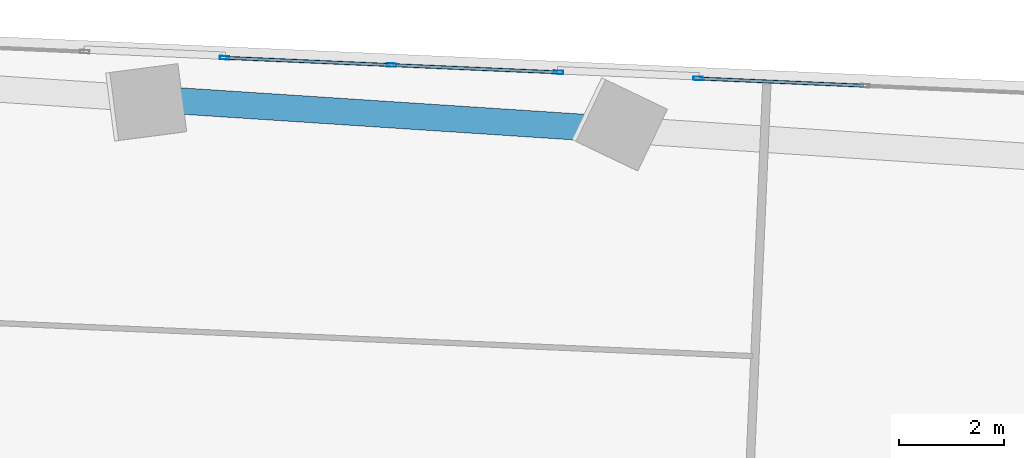
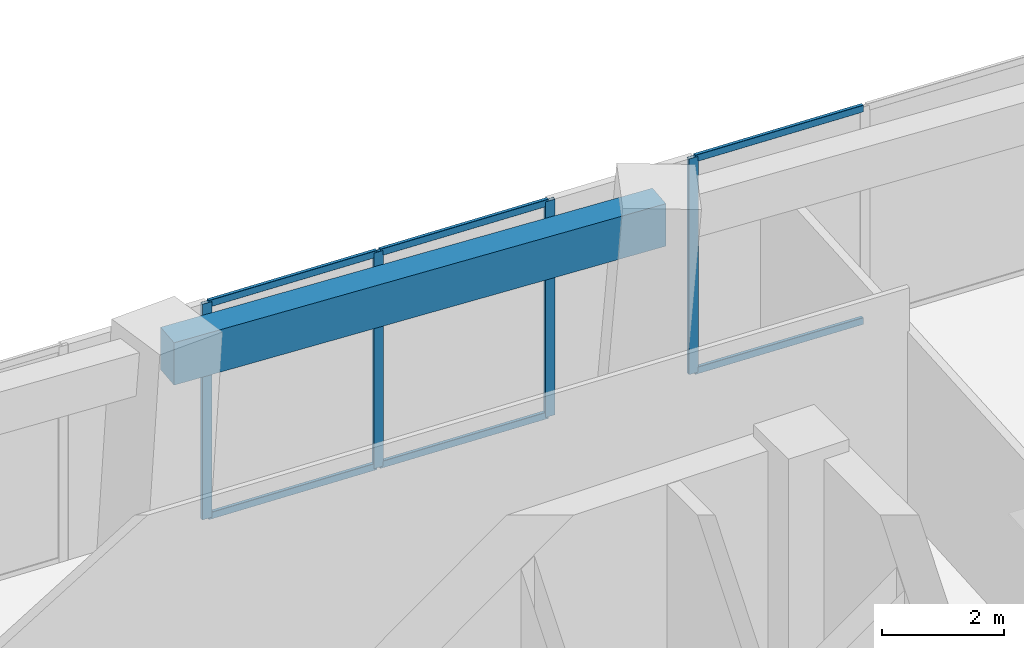
# One storey, part 17 of 27: 10 members, 1 beam, 2 elements without a shape of their own.
"""IFC4 building model written with IfcOpenShell, lengths in metres."""

from ifc_helpers import new_model, si_unit, direction, frame, origin, origin_2d, place, context, subcontext, project, spatial, rectangle, hollow_rectangle, extrude, source, transform, mapped, material, material_profile, profile_set, type_object, element, aggregate, save


model = new_model("IFC4")

# Units and contexts
model_context = context("Model", 3, precision=1e-05, world=origin(), true_north=direction((0.0, 1.0)))
body_context = subcontext(model_context, "Body", "Model", "MODEL_VIEW")
ifc_project = project(units=[si_unit("LENGTHUNIT", "METRE"), si_unit("AREAUNIT", "SQUARE_METRE"), si_unit("VOLUMEUNIT", "CUBIC_METRE"), si_unit("PLANEANGLEUNIT", "RADIAN"), si_unit("MASSUNIT", "GRAM", prefix="KILO")], contexts=[model_context])

# Site, building, storey
site_placement = place(None, origin())
site = spatial("IfcSite", under=ifc_project, at=site_placement, CompositionType="ELEMENT")
building_placement = place(site_placement, origin())
building = spatial("IfcBuilding", under=site, at=building_placement, Name="Torre Montelarca", CompositionType="ELEMENT")
storey_placement = place(building_placement, frame((0.0, 0.0, 37.60009765625)))
storey = spatial("IfcBuildingStorey", under=building, at=storey_placement, Name="L08", CompositionType="ELEMENT", Elevation=37.60009765625)

# Beam
ifc_material_1 = material(Name="Concrete C55/67", Category="concrete")
ifc_material_profile_1 = material_profile(ifc_material_1, rectangle(XDim=0.5, YDim=0.85009765625, at=origin_2d()), Name="RCB500X850", Category="concrete")
ifc_profile_set_1 = profile_set([ifc_material_profile_1], Name="Concrete C55/67")
beam_type = type_object("IfcBeamType", Name="BM-SP-RC850-EXT", PredefinedType="SPANDREL", material=ifc_profile_set_1)
shared_shape_1 = source(origin(), body_context, "Body", "SweptSolid", [
    extrude(rectangle(XDim=0.5, YDim=0.85009765625, at=origin_2d()), origin(), (0.0, 0.0, 1.0), 9.0),
])
beam_placement = place(storey_placement, frame((18.998291015625, 47.346435546875, 4.135009765625), z_axis=(0.99785895206, -0.065402689504, 0.0), x_axis=(0.065402689504, 0.99785895206, 0.0)))
element("IfcBeam", 1, at=beam_placement, inside=storey, type_object=beam_type, Name="L08 Grid Girder X 18.0-27.0 at Y=47.1", PredefinedType="SPANDREL", context=body_context, shape_type="MappedRepresentation", body=[
    mapped(shared_shape_1, transform((0.0, 0.0, 0.0), scale=1.0)),
])

# Curtain wall, member
ifc_material_2 = material(Name="Insulated low-E laminated glass", Category="glass")
curtain_wall_type = type_object("IfcCurtainWallType", Name="CW-SYS-Z1", PredefinedType="USERDEFINED", material=ifc_material_2)
curtain_wall_1_placement = place(storey_placement, origin())
curtain_wall_1 = element("IfcCurtainWall", 2, at=curtain_wall_1_placement, inside=storey, type_object=curtain_wall_type, Name="L08 Curtain Wall Run CW-T3-L08-E08-B2", ObjectType="UNITISED GLAZING", PredefinedType="USERDEFINED")
ifc_material_3 = material(Name="Anodised aluminium AA 6063-T6", Category="aluminium")
ifc_material_profile_2 = material_profile(ifc_material_3, hollow_rectangle(XDim=0.06494140625, YDim=0.179931640625, WallThickness=0.00390625, InnerFilletRadius=0.00390625, OuterFilletRadius=0.008056640625, at=origin_2d()), Name="ALU65X180X4", Category="aluminium")
ifc_profile_set_2 = profile_set([ifc_material_profile_2], Name="Anodised aluminium AA 6063-T6")
member_type_1 = type_object("IfcMemberType", Name="CWM-ALU180", PredefinedType="MULLION", material=ifc_profile_set_2)
shared_shape_2 = source(origin(), body_context, "Body", "SweptSolid", [
    extrude(hollow_rectangle(XDim=0.06494140625, YDim=0.179931640625, WallThickness=0.00390625, InnerFilletRadius=0.00390625, OuterFilletRadius=0.008056640625, at=origin_2d()), origin(), (0.0, 0.0, 1.0), 4.31982421875),
])
member_1_placement = place(storey_placement, frame((29.18603515625, 47.749755859375, 0.0), z_axis=(0.0, 0.0, 1.0), x_axis=(-0.043614580368, -0.999048431448, 0.0)))
member_1 = element("IfcMember", 3, at=member_1_placement, type_object=member_type_1, Name="CW mullion 3", PredefinedType="MULLION", context=body_context, shape_type="MappedRepresentation", body=[
    mapped(shared_shape_2, transform((0.0, 0.0, 0.0), scale=1.0)),
])

# Curtain wall, members
curtain_wall_2_placement = place(storey_placement, origin())
curtain_wall_2 = element("IfcCurtainWall", 4, at=curtain_wall_2_placement, inside=storey, type_object=curtain_wall_type, Name="L08 Curtain Wall Run CW-T3-L08-E08-B3", ObjectType="UNITISED GLAZING", PredefinedType="USERDEFINED")
member_2_placement = place(storey_placement, frame((26.534423828125, 47.865478515625, 0.0), z_axis=(0.0, 0.0, 1.0), x_axis=(-0.043628858585, -0.999047808015, 0.0)))
member_2 = element("IfcMember", 5, at=member_2_placement, type_object=member_type_1, Name="CW mullion 1", PredefinedType="MULLION", context=body_context, shape_type="MappedRepresentation", body=[
    mapped(shared_shape_2, transform((0.0, 0.0, 0.0), scale=1.0)),
])
member_3_placement = place(storey_placement, frame((23.365478515625, 48.00390625, 0.0), z_axis=(0.0, 0.0, 1.0), x_axis=(-0.043628858585, -0.999047808015, 0.0)))
member_3 = element("IfcMember", 6, at=member_3_placement, type_object=member_type_1, Name="CW mullion 2", PredefinedType="MULLION", context=body_context, shape_type="MappedRepresentation", body=[
    mapped(shared_shape_2, transform((0.0, 0.0, 0.0), scale=1.0)),
])
member_4_placement = place(storey_placement, frame((20.19677734375, 48.142333984375, 0.0), z_axis=(0.0, 0.0, 1.0), x_axis=(-0.043628858585, -0.999047808015, 0.0)))
member_4 = element("IfcMember", 7, at=member_4_placement, type_object=member_type_1, Name="CW mullion 3", PredefinedType="MULLION", context=body_context, shape_type="MappedRepresentation", body=[
    mapped(shared_shape_2, transform((0.0, 0.0, 0.0), scale=1.0)),
])

# Member
ifc_material_profile_3 = material_profile(ifc_material_3, hollow_rectangle(XDim=0.06494140625, YDim=0.139892578125, WallThickness=0.00390625, InnerFilletRadius=0.00390625, OuterFilletRadius=0.008056640625, at=origin_2d()), Name="ALU65X140X4", Category="aluminium")
ifc_profile_set_3 = profile_set([ifc_material_profile_3], Name="Anodised aluminium AA 6063-T6")
member_type_2 = type_object("IfcMemberType", Name="CWT-ALU140", PredefinedType="USERDEFINED", material=ifc_profile_set_3)
shared_shape_3 = source(origin(), body_context, "Body", "SweptSolid", [
    extrude(hollow_rectangle(XDim=0.06494140625, YDim=0.139892578125, WallThickness=0.00390625, InnerFilletRadius=0.00390625, OuterFilletRadius=0.008056640625, at=origin_2d()), origin(), (0.0, 0.0, 1.0), 3.10791015625),
])
member_5_placement = place(storey_placement, frame((32.323486328125, 47.61279296875, 0.032470703125), z_axis=(-0.999049179402, 0.04359744414, 0.0), x_axis=(-0.04359744414, -0.999049179402, 0.0)))
member_5 = element("IfcMember", 8, at=member_5_placement, type_object=member_type_2, Name="CW transom 2.1", ObjectType="TRANSOM", PredefinedType="USERDEFINED", context=body_context, shape_type="MappedRepresentation", body=[
    mapped(shared_shape_3, transform((0.0, 0.0, 0.0), scale=1.0)),
])

member_6_placement = place(storey_placement, frame((32.323486328125, 47.61279296875, 4.287353515625), z_axis=(-0.999049179402, 0.04359744414, 0.0), x_axis=(-0.04359744414, -0.999049179402, 0.0)))
member_6 = element("IfcMember", 9, at=member_6_placement, type_object=member_type_2, Name="CW transom 2.2", ObjectType="TRANSOM", PredefinedType="USERDEFINED", context=body_context, shape_type="MappedRepresentation", body=[
    mapped(shared_shape_3, transform((0.0, 0.0, 0.0), scale=1.0)),
])

aggregate(curtain_wall_1, [member_1, member_5, member_6])

shared_shape_4 = source(origin(), body_context, "Body", "SweptSolid", [
    extrude(hollow_rectangle(XDim=0.06494140625, YDim=0.139892578125, WallThickness=0.00390625, InnerFilletRadius=0.00390625, OuterFilletRadius=0.008056640625, at=origin_2d()), origin(), (0.0, 0.0, 1.0), 3.10693359375),
])
member_7_placement = place(storey_placement, frame((26.501953125, 47.866943359375, 0.032470703125), z_axis=(-0.999048581879, 0.043611134414, 0.0), x_axis=(-0.043611134414, -0.999048581879, 0.0)))
member_7 = element("IfcMember", 10, at=member_7_placement, type_object=member_type_2, Name="CW transom 1.1", ObjectType="TRANSOM", PredefinedType="USERDEFINED", context=body_context, shape_type="MappedRepresentation", body=[
    mapped(shared_shape_4, transform((0.0, 0.0, 0.0), scale=1.0)),
])

member_8_placement = place(storey_placement, frame((26.501953125, 47.866943359375, 4.287353515625), z_axis=(-0.999048581879, 0.043611134414, 0.0), x_axis=(-0.043611134414, -0.999048581879, 0.0)))
member_8 = element("IfcMember", 11, at=member_8_placement, type_object=member_type_2, Name="CW transom 1.2", ObjectType="TRANSOM", PredefinedType="USERDEFINED", context=body_context, shape_type="MappedRepresentation", body=[
    mapped(shared_shape_4, transform((0.0, 0.0, 0.0), scale=1.0)),
])

shared_shape_5 = source(origin(), body_context, "Body", "SweptSolid", [
    extrude(hollow_rectangle(XDim=0.06494140625, YDim=0.139892578125, WallThickness=0.00390625, InnerFilletRadius=0.00390625, OuterFilletRadius=0.008056640625, at=origin_2d()), origin(), (0.0, 0.0, 1.0), 3.106689453125),
])
member_9_placement = place(storey_placement, frame((23.3330078125, 48.00537109375, 0.032470703125), z_axis=(-0.999048432411, 0.043614558325, 0.0), x_axis=(-0.043614558325, -0.999048432411, 0.0)))
member_9 = element("IfcMember", 12, at=member_9_placement, type_object=member_type_2, Name="CW transom 2.1", ObjectType="TRANSOM", PredefinedType="USERDEFINED", context=body_context, shape_type="MappedRepresentation", body=[
    mapped(shared_shape_5, transform((0.0, 0.0, 0.0), scale=1.0)),
])

member_10_placement = place(storey_placement, frame((23.3330078125, 48.00537109375, 4.287353515625), z_axis=(-0.999048432411, 0.043614558325, 0.0), x_axis=(-0.043614558325, -0.999048432411, 0.0)))
member_10 = element("IfcMember", 13, at=member_10_placement, type_object=member_type_2, Name="CW transom 2.2", ObjectType="TRANSOM", PredefinedType="USERDEFINED", context=body_context, shape_type="MappedRepresentation", body=[
    mapped(shared_shape_5, transform((0.0, 0.0, 0.0), scale=1.0)),
])

aggregate(curtain_wall_2, [member_2, member_3, member_4, member_7, member_8, member_9, member_10])

save(model, "model.ifc")
